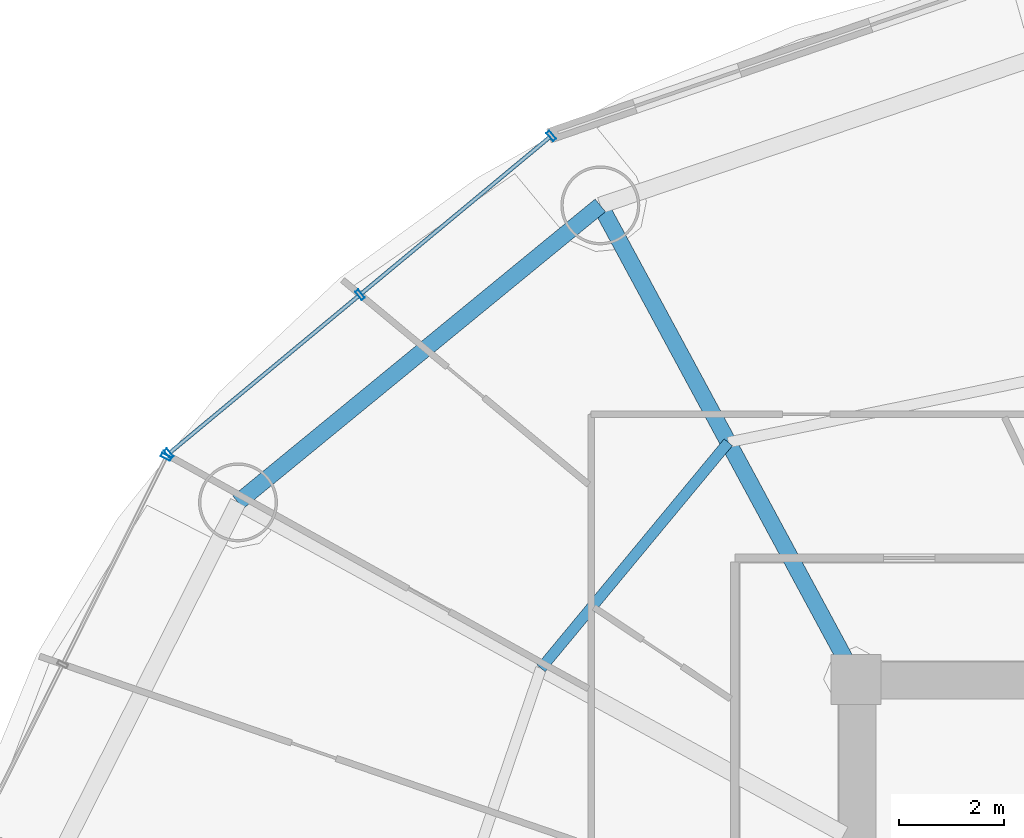
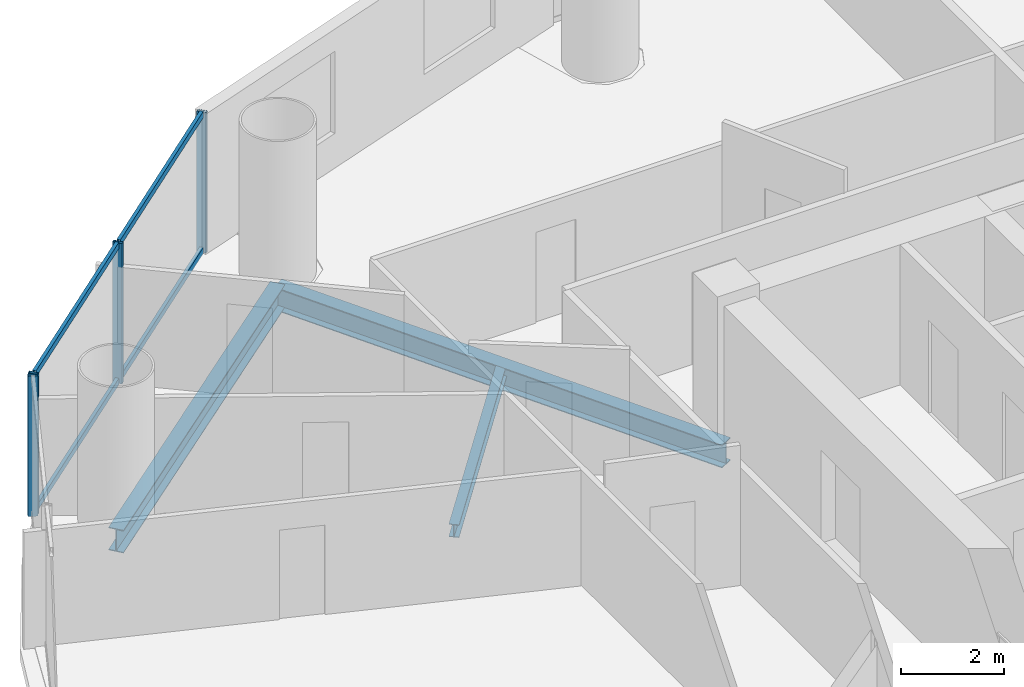
# One storey, part 16 of 29: 8 members, 3 beams, 2 elements without a shape of their own.
"""IFC4 building model written with IfcOpenShell, lengths in metres."""

from ifc_helpers import new_model, si_unit, direction, frame, origin, origin_2d, place, context, subcontext, project, spatial, hollow_rectangle, i_section, extrude, source, transform, mapped, material, material_profile, profile_set, type_object, element, aggregate, save


model = new_model("IFC4")

# Units and contexts
model_context = context("Model", 3, precision=1e-05, world=origin(), true_north=direction((-0.2419218956, 0.970295726276)))
body_context = subcontext(model_context, "Body", "Model", "MODEL_VIEW")
ifc_project = project(units=[si_unit("LENGTHUNIT", "METRE"), si_unit("AREAUNIT", "SQUARE_METRE"), si_unit("VOLUMEUNIT", "CUBIC_METRE"), si_unit("PLANEANGLEUNIT", "RADIAN"), si_unit("MASSUNIT", "GRAM", prefix="KILO")], contexts=[model_context])

# Site, building, storey
site_placement = place(None, origin())
site = spatial("IfcSite", under=ifc_project, at=site_placement, CompositionType="ELEMENT")
building_placement = place(site_placement, origin())
building = spatial("IfcBuilding", under=site, at=building_placement, Name="Cobrevalo Terracotta Tower", CompositionType="ELEMENT")
storey_placement = place(building_placement, frame((0.0, 0.0, 87.0)))
storey = spatial("IfcBuildingStorey", under=building, at=storey_placement, Name="L22", CompositionType="ELEMENT", Elevation=87.0)

# Beams
ifc_material_1 = material(Name="Steel S355", Category="steel")
ifc_material_profile_1 = material_profile(ifc_material_1, i_section(OverallWidth=0.31201171875, OverallDepth=0.54296875, WebThickness=0.0126953125, FlangeThickness=0.020263671875, at=origin_2d()), Name="W 530x150")
ifc_profile_set_1 = profile_set([ifc_material_profile_1], Name="Steel S355")
beam_type_1 = type_object("IfcBeamType", Name="Structural Beam W 530x150 (Steel S355)", PredefinedType="BEAM", material=ifc_profile_set_1)
beam_1_placement = place(storey_placement, frame((24.138427734375, 43.803466796875, -0.54638671875), z_axis=(0.475128224431, -0.879916570107, 0.0), x_axis=(0.879916570107, 0.475128224431, 0.0)))
element("IfcBeam", 1, at=beam_1_placement, inside=storey, type_object=beam_type_1, Name="L22 radial floor girder 06", PredefinedType="BEAM", context=body_context, shape_type="SweptSolid", body=[
    extrude(i_section(OverallWidth=0.31201171875, OverallDepth=0.54296875, WebThickness=0.0126953125, FlangeThickness=0.020263671875, at=origin_2d()), origin(), (0.0, 0.0, 1.0), 10.232177734375),
])
ifc_material_profile_2 = material_profile(ifc_material_1, i_section(OverallWidth=0.2041015625, OverallDepth=0.305908203125, WebThickness=0.008544921875, FlangeThickness=0.0146484375, at=origin_2d()), Name="W 310x67")
ifc_profile_set_2 = profile_set([ifc_material_profile_2], Name="Steel S355")
beam_type_2 = type_object("IfcBeamType", Name="Structural Joist W 310x67 (Steel S355)", PredefinedType="JOIST", material=ifc_profile_set_2)
beam_2_placement = place(storey_placement, frame((26.5693359375, 39.3017578125, -0.427978515625), z_axis=(-0.6379592588, -0.77007011636, 0.0), x_axis=(0.77007011636, -0.6379592588, 0.0)))
element("IfcBeam", 2, at=beam_2_placement, inside=storey, type_object=beam_type_2, Name="L22 circumferential secondary floor joist 06", PredefinedType="JOIST", context=body_context, shape_type="SweptSolid", body=[
    extrude(i_section(OverallWidth=0.2041015625, OverallDepth=0.305908203125, WebThickness=0.008544921875, FlangeThickness=0.0146484375, at=origin_2d()), origin(), (0.0, 0.0, 1.0), 5.575439453125),
])
ifc_material_profile_3 = material_profile(ifc_material_1, i_section(OverallWidth=0.31201171875, OverallDepth=0.54296875, WebThickness=0.0126953125, FlangeThickness=0.020263671875, at=origin_2d()), Name="W 530x150")
ifc_profile_set_3 = profile_set([ifc_material_profile_3], Name="Steel S355")
beam_type_3 = type_object("IfcBeamType", Name="Structural Spandrel W 530x150 (Steel S355)", PredefinedType="SPANDREL", material=ifc_profile_set_3)
beam_3_placement = place(storey_placement, frame((24.138427734375, 43.803466796875, -0.54638671875), z_axis=(-0.773400923541, -0.633917196064, 0.0), x_axis=(0.633917196064, -0.773400923541, 0.0)))
element("IfcBeam", 3, at=beam_3_placement, inside=storey, type_object=beam_type_3, Name="L22 perimeter ring spandrel 06", PredefinedType="SPANDREL", context=body_context, shape_type="SweptSolid", body=[
    extrude(i_section(OverallWidth=0.31201171875, OverallDepth=0.54296875, WebThickness=0.0126953125, FlangeThickness=0.020263671875, at=origin_2d()), origin(), (0.0, 0.0, 1.0), 8.900390625),
])

# Curtain wall, members
ifc_material_2 = material(Name="Anodized aluminium", Category="aluminium")
curtain_wall_type = type_object("IfcCurtainWallType", Name="Lower-tower unitised acoustic low-E curtain wall CW-U1", PredefinedType="NOTDEFINED", material=ifc_material_2)
curtain_wall_1_placement = place(storey_placement, origin())
curtain_wall_1 = element("IfcCurtainWall", 4, at=curtain_wall_1_placement, inside=storey, type_object=curtain_wall_type, Name="L22 curtain wall CW-L22-S06", PredefinedType="NOTDEFINED")
ifc_material_profile_4 = material_profile(ifc_material_2, hollow_rectangle(XDim=0.074951171875, YDim=0.199951171875, WallThickness=0.0048828125, at=origin_2d()), Name="CWM 75x200")
ifc_profile_set_4 = profile_set([ifc_material_profile_4], Name="Anodized aluminium")
member_type_1 = type_object("IfcMemberType", Name="Lower/mid tower unitised mullion 75x200", PredefinedType="MULLION", material=ifc_profile_set_4)
shared_shape_1 = source(origin(), body_context, "Body", "SweptSolid", [
    extrude(hollow_rectangle(XDim=0.074951171875, YDim=0.199951171875, WallThickness=0.0048828125, at=origin_2d()), origin(), (0.0, 0.0, 1.0), 3.324951171875),
])
member_1_placement = place(storey_placement, frame((23.207763671875, 45.125, 0.0), z_axis=(0.0, 0.0, 1.0), x_axis=(-0.769243451658, -0.638955798222, 0.0)))
member_1 = element("IfcMember", 5, at=member_1_placement, type_object=member_type_1, Name="CW-L22-S06 vertical mullion 01", PredefinedType="MULLION", context=body_context, shape_type="MappedRepresentation", body=[
    mapped(shared_shape_1, transform((0.0, 0.0, 0.0), scale=1.0)),
])
member_2_placement = place(storey_placement, frame((19.5732421875, 42.10595703125, 0.0), z_axis=(0.0, 0.0, 1.0), x_axis=(-0.769243451658, -0.638955798222, 0.0)))
member_2 = element("IfcMember", 6, at=member_2_placement, type_object=member_type_1, Name="CW-L22-S06 vertical mullion 02", PredefinedType="MULLION", context=body_context, shape_type="MappedRepresentation", body=[
    mapped(shared_shape_1, transform((0.0, 0.0, 0.0), scale=1.0)),
])
member_3_placement = place(storey_placement, frame((15.938720703125, 39.0869140625, 0.0), z_axis=(0.0, 0.0, 1.0), x_axis=(-0.769243451658, -0.638955798222, 0.0)))
member_3 = element("IfcMember", 7, at=member_3_placement, type_object=member_type_1, Name="CW-L22-S06 vertical mullion 03", PredefinedType="MULLION", context=body_context, shape_type="MappedRepresentation", body=[
    mapped(shared_shape_1, transform((0.0, 0.0, 0.0), scale=1.0)),
])

# Curtain wall, member
curtain_wall_2_placement = place(storey_placement, origin())
curtain_wall_2 = element("IfcCurtainWall", 8, at=curtain_wall_2_placement, inside=storey, type_object=curtain_wall_type, Name="L22 curtain wall CW-L22-S07", PredefinedType="NOTDEFINED")
member_4_placement = place(storey_placement, frame((15.889892578125, 39.025634765625, 0.0), z_axis=(0.0, 0.0, 1.0), x_axis=(-0.446260290227, -0.894903208937, 0.0)))
member_4 = element("IfcMember", 9, at=member_4_placement, type_object=member_type_1, Name="CW-L22-S07 vertical mullion 01", PredefinedType="MULLION", context=body_context, shape_type="MappedRepresentation", body=[
    mapped(shared_shape_1, transform((0.0, 0.0, 0.0), scale=1.0)),
])
aggregate(curtain_wall_2, [member_4])

# Member
ifc_material_profile_5 = material_profile(ifc_material_2, hollow_rectangle(XDim=0.074951171875, YDim=0.14990234375, WallThickness=0.00439453125, at=origin_2d()), Name="CWT 75x150")
ifc_profile_set_5 = profile_set([ifc_material_profile_5], Name="Anodized aluminium")
member_type_2 = type_object("IfcMemberType", Name="Tower unitised aluminium transom 75x150", PredefinedType="USERDEFINED", material=ifc_profile_set_5)
shared_shape_2 = source(origin(), body_context, "Body", "SweptSolid", [
    extrude(hollow_rectangle(XDim=0.074951171875, YDim=0.14990234375, WallThickness=0.00439453125, at=origin_2d()), origin(), (0.0, 0.0, 1.0), 4.644775390625),
])
member_5_placement = place(storey_placement, frame((23.177001953125, 45.099365234375, 0.050048828125), z_axis=(-0.76924999091, -0.638947925487, 0.0), x_axis=(0.638947925487, -0.76924999091, 0.0)))
member_5 = element("IfcMember", 10, at=member_5_placement, type_object=member_type_2, Name="CW-L22-S06 transom B01-T1", ObjectType="TRANSOM", PredefinedType="USERDEFINED", context=body_context, shape_type="MappedRepresentation", body=[
    mapped(shared_shape_2, transform((0.0, 0.0, 0.0), scale=1.0)),
])

member_6_placement = place(storey_placement, frame((23.177001953125, 45.099365234375, 3.27490234375), z_axis=(-0.76924999091, -0.638947925487, 0.0), x_axis=(0.638947925487, -0.76924999091, 0.0)))
member_6 = element("IfcMember", 11, at=member_6_placement, type_object=member_type_2, Name="CW-L22-S06 transom B01-T2", ObjectType="TRANSOM", PredefinedType="USERDEFINED", context=body_context, shape_type="MappedRepresentation", body=[
    mapped(shared_shape_2, transform((0.0, 0.0, 0.0), scale=1.0)),
])

member_7_placement = place(storey_placement, frame((19.54248046875, 42.080322265625, 0.050048828125), z_axis=(-0.76924999091, -0.638947925487, 0.0), x_axis=(0.638947925487, -0.76924999091, 0.0)))
member_7 = element("IfcMember", 12, at=member_7_placement, type_object=member_type_2, Name="CW-L22-S06 transom B02-T1", ObjectType="TRANSOM", PredefinedType="USERDEFINED", context=body_context, shape_type="MappedRepresentation", body=[
    mapped(shared_shape_2, transform((0.0, 0.0, 0.0), scale=1.0)),
])

member_8_placement = place(storey_placement, frame((19.54248046875, 42.080322265625, 3.27490234375), z_axis=(-0.76924999091, -0.638947925487, 0.0), x_axis=(0.638947925487, -0.76924999091, 0.0)))
member_8 = element("IfcMember", 13, at=member_8_placement, type_object=member_type_2, Name="CW-L22-S06 transom B02-T2", ObjectType="TRANSOM", PredefinedType="USERDEFINED", context=body_context, shape_type="MappedRepresentation", body=[
    mapped(shared_shape_2, transform((0.0, 0.0, 0.0), scale=1.0)),
])

aggregate(curtain_wall_1, [member_1, member_2, member_3, member_5, member_6, member_7, member_8])

save(model, "model.ifc")
